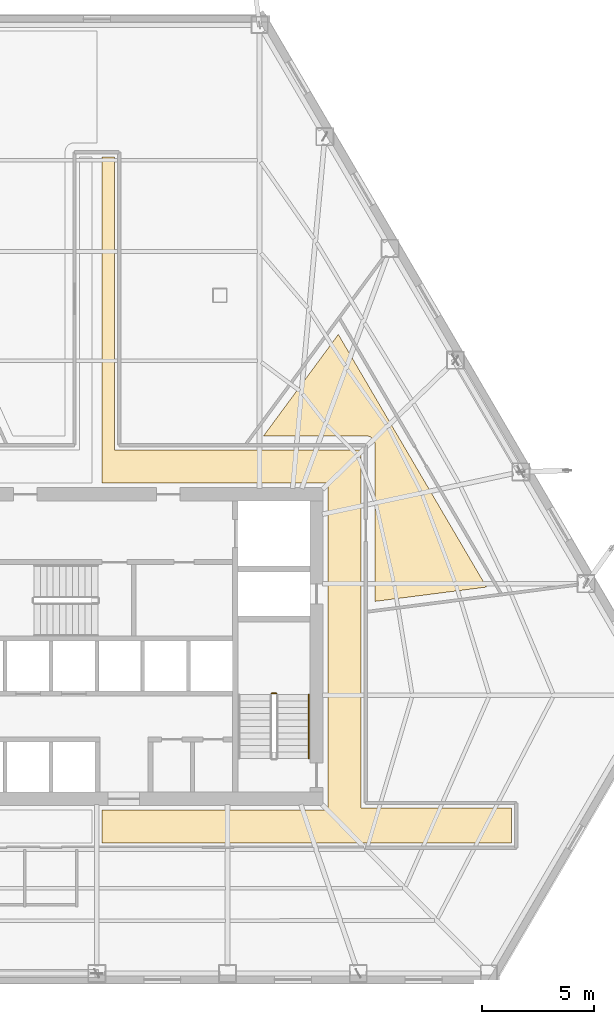
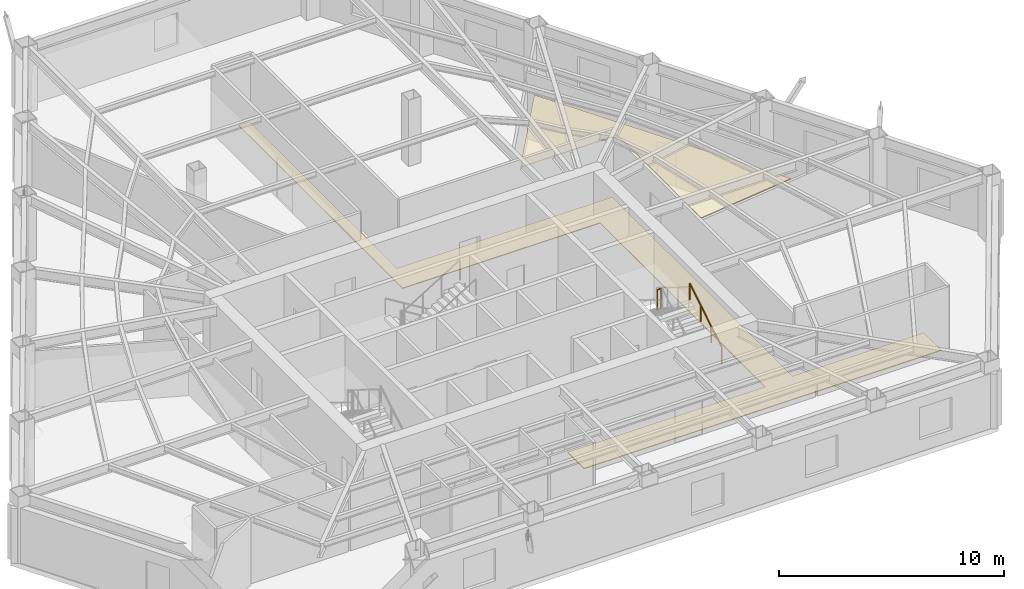
# One storey, part 12 of 13: 2 coverings, 2 railings.
"""IFC4 building model written with IfcOpenShell, lengths in metres."""

from ifc_helpers import new_model, si_unit, direction, frame, origin, origin_2d, place, context, subcontext, project, spatial, polyline, circle, outline, extrude, material, layer, layer_set, type_object, element, save


model = new_model("IFC4")

# Units and contexts
model_context = context("Model", 3, precision=1e-05, world=origin(), true_north=direction((0.0, 1.0)))
body_context = subcontext(model_context, "Body", "Model", "MODEL_VIEW")
ifc_project = project(units=[si_unit("LENGTHUNIT", "METRE"), si_unit("AREAUNIT", "SQUARE_METRE"), si_unit("VOLUMEUNIT", "CUBIC_METRE"), si_unit("PLANEANGLEUNIT", "RADIAN"), si_unit("MASSUNIT", "GRAM", prefix="KILO")], contexts=[model_context])

# Site, building, storey
site_placement = place(None, origin())
site = spatial("IfcSite", under=ifc_project, at=site_placement, CompositionType="ELEMENT")
building_placement = place(site_placement, origin())
building = spatial("IfcBuilding", under=site, at=building_placement, Name="Kavelnor Concourse Tower", CompositionType="ELEMENT")
storey_placement = place(building_placement, frame((0.0, 0.0, 59.89990234375)))
storey = spatial("IfcBuildingStorey", under=building, at=storey_placement, Name="L15", CompositionType="ELEMENT", Elevation=59.89990234375)

# Coverings
ifc_material_1 = material(Name="Mineral fibre acoustic ceiling tile")
ifc_layer_1 = layer(ifc_material_1, 0.0400390625, Name="Mineral fibre acoustic ceiling tile")
ifc_layer_set_1 = layer_set([ifc_layer_1], Name="Mineral fibre acoustic ceiling tile")
covering_type_1 = type_object("IfcCoveringType", Name="COV-CEILING-ACOUSTIC", PredefinedType="CEILING", material=ifc_layer_set_1)
covering_1_placement = place(storey_placement, frame((0.0, 0.0, 2.75)))
element("IfcCovering", 1, at=covering_1_placement, inside=storey, type_object=covering_type_1, Name="L15 Suspended Acoustic Ceiling", PredefinedType="CEILING", context=body_context, shape_type="SweptSolid", body=[
    extrude(outline(polyline([(50.434814453125, 25.1826171875), (50.4248046875, 25.222900390625), (50.41064453125, 25.26171875), (50.39306640625, 25.29931640625), (50.37158203125, 25.3349609375), (50.346923828125, 25.368408203125), (50.319091796875, 25.39892578125), (50.288330078125, 25.427001953125), (50.2548828125, 25.45166015625), (50.219482421875, 25.472900390625), (50.181884765625, 25.49072265625), (50.142822265625, 25.504638671875), (50.1025390625, 25.514892578125), (50.0615234375, 25.52099609375), (50.0283203125, 25.5224609375), (45.4580078125, 25.5224609375), (48.7958984375, 30.052734375), (55.42431640625, 18.757080078125), (50.4423828125, 18.116943359375), (50.4423828125, 25.1083984375), (50.44091796875, 25.1416015625), (50.434814453125, 25.1826171875)])), origin(), (0.0, 0.0, 1.0), 0.0400390625),
])
ifc_material_2 = material(Name="Honed bluestone and raised access floor finish", Category="masonry")
ifc_layer_2 = layer(ifc_material_2, 0.0400390625, Name="Honed bluestone and raised access floor finish")
ifc_layer_set_2 = layer_set([ifc_layer_2], Name="Honed bluestone and raised access floor finish")
covering_type_2 = type_object("IfcCoveringType", Name="COV-FLOOR-STONE", PredefinedType="FLOORING", material=ifc_layer_set_2)
covering_2_placement = place(storey_placement, frame((0.0, 0.0, 0.002197265625)))
element("IfcCovering", 2, at=covering_2_placement, inside=storey, type_object=covering_type_2, Name="L15 Honed Bluestone Floor Finish", PredefinedType="FLOORING", context=body_context, shape_type="SweptSolid", body=[
    extrude(outline(polyline([(38.780029296875, 37.97998046875), (38.780029296875, 24.8798828125), (49.800048828125, 24.8798828125), (49.800048828125, 8.8798828125), (56.53369140625, 8.8798828125), (56.53369140625, 7.320068359375), (38.22509765625, 7.320068359375), (38.22509765625, 8.780029296875), (48.340087890625, 8.780029296875), (48.340087890625, 23.419921875), (38.22509765625, 23.419921875), (38.22509765625, 37.97998046875), (38.780029296875, 37.97998046875)])), origin(), (0.0, 0.0, 1.0), 0.039794921875),
])

# Railings
ifc_material_3 = material(Name="Steel Grade 350", Category="steel")
railing_type_1 = type_object("IfcRailingType", Name="RLG-GUARD-1100", PredefinedType="GUARDRAIL", material=ifc_material_3)
railing_1_placement = place(storey_placement, frame((46.02001953125, 14.0, 1.925048828125)))
element("IfcRailing", 3, at=railing_1_placement, inside=storey, type_object=railing_type_1, Name="L15 ST2 stair guard 2", PredefinedType="GUARDRAIL", context=body_context, shape_type="SweptSolid", body=[
    extrude(circle(Radius=0.02392578125, at=origin_2d()), frame((0.0, 0.0, 1.076171875), z_axis=(-1.0, 0.0, 0.0), x_axis=(0.0, -1.0, 0.0)), (0.0, 0.0, 1.0), 0.199951171875),
    extrude(circle(Radius=0.02099609375, at=origin_2d()), origin(), (0.0, 0.0, 1.0), 1.052001953125),
    extrude(circle(Radius=0.02099609375, at=origin_2d()), frame((-0.199951171875, 0.0, 0.0)), (0.0, 0.0, 1.0), 1.052001953125),
])
railing_type_2 = type_object("IfcRailingType", Name="RLG-HANDRAIL-900", PredefinedType="HANDRAIL", material=ifc_material_3)
railing_2_placement = place(storey_placement, frame((47.469970703125, 11.10009765625, 0.175048828125)))
element("IfcRailing", 4, at=railing_2_placement, inside=storey, type_object=railing_type_2, Name="L15 ST2 stair handrail 1", PredefinedType="HANDRAIL", context=body_context, shape_type="SweptSolid", body=[
    extrude(circle(Radius=0.02392578125, at=origin_2d()), frame((0.0, 0.0, 0.8759765625), z_axis=(0.0, 0.852159232446, 0.523282564737), x_axis=(-1.0, 0.0, 0.0)), (0.0, 0.0, 1.0), 3.34423828125),
    extrude(circle(Radius=0.02099609375, at=origin_2d()), origin(), (0.0, 0.0, 1.0), 0.851806640625),
    extrude(circle(Radius=0.02099609375, at=origin_2d()), frame((0.0, 0.949951171875, 0.583251953125)), (0.0, 0.0, 1.0), 0.851806640625),
    extrude(circle(Radius=0.02099609375, at=origin_2d()), frame((0.0, 1.89990234375, 1.166748046875)), (0.0, 0.0, 1.0), 0.851806640625),
    extrude(circle(Radius=0.02099609375, at=origin_2d()), frame((0.0, 2.849853515625, 1.75)), (0.0, 0.0, 1.0), 0.851806640625),
])

save(model, "model.ifc")
